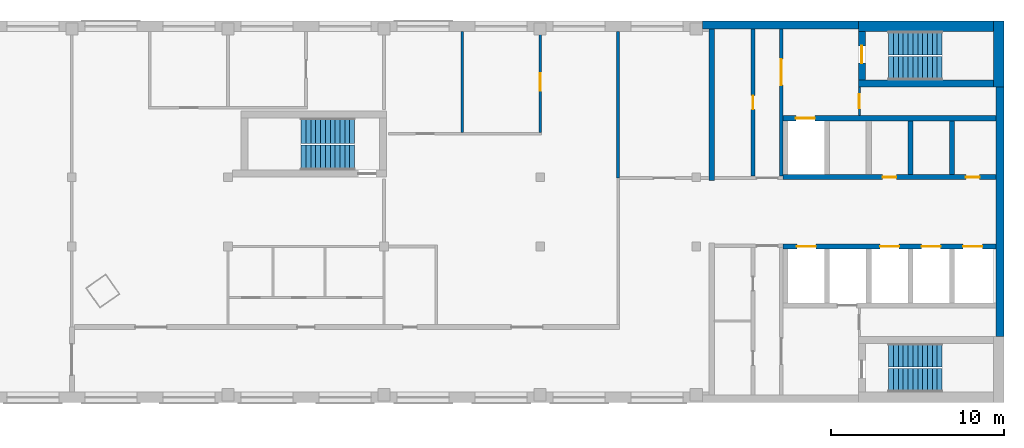
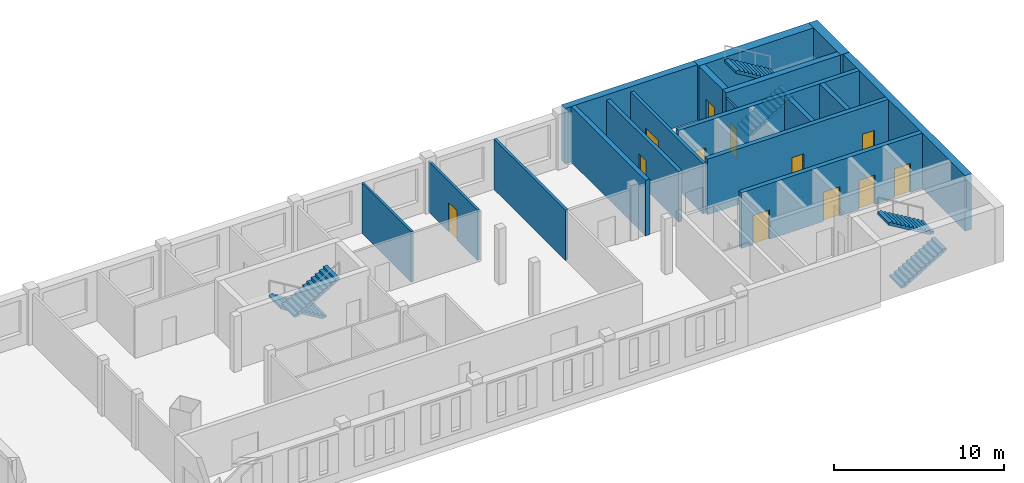
# One storey, part 4 of 5: 18 walls, 12 doors, 6 stair flights, 12 openings, 3 elements without a shape of their own.
"""IFC4 building model written with IfcOpenShell, lengths in metres."""

from ifc_helpers import new_model, si_unit, direction, frame, frame_2d, origin, place, context, subcontext, project, spatial, polyline, rectangle, outline, extrude, material, layer, layer_set, type_object, element, fill, aggregate, save


model = new_model("IFC4")

# Units and contexts
model_context = context("Model", 3, precision=1e-05, world=origin(), true_north=direction((0.0, 1.0)))
body_context = subcontext(model_context, "Body", "Model", "MODEL_VIEW")
ifc_project = project(units=[si_unit("LENGTHUNIT", "METRE"), si_unit("AREAUNIT", "SQUARE_METRE"), si_unit("VOLUMEUNIT", "CUBIC_METRE"), si_unit("PLANEANGLEUNIT", "RADIAN"), si_unit("MASSUNIT", "GRAM", prefix="KILO")], contexts=[model_context])

# Site, building, storey
site_placement = place(None, origin())
site = spatial("IfcSite", under=ifc_project, at=site_placement, CompositionType="ELEMENT")
building_placement = place(site_placement, origin())
building = spatial("IfcBuilding", under=site, at=building_placement, Name="Skarvind Civic Tower", CompositionType="ELEMENT")
storey_placement = place(building_placement, frame((0.0, 0.0, 257.5)))
storey = spatial("IfcBuildingStorey", under=building, at=storey_placement, Name="L61", CompositionType="ELEMENT", Elevation=257.5)

# Wall
ifc_material_1 = material(Name="Acoustic gypsum board on steel studs", Category="steel")
ifc_layer_1 = layer(ifc_material_1, 0.175048828125)
ifc_layer_set_1 = layer_set([ifc_layer_1], Name="ACOUSTIC MEETING-ROOM PARTITION 175")
wall_type_1 = type_object("IfcWallType", Name="ACOUSTIC MEETING-ROOM PARTITION 175", PredefinedType="PARTITIONING", material=ifc_layer_set_1)
wall_1_placement = place(storey_placement, frame((85.75, 129.949951171875, 0.0), z_axis=(0.0, 0.0, 1.0), x_axis=(0.0, 1.0, 0.0)))
element("IfcWall", 1, at=wall_1_placement, inside=storey, type_object=wall_type_1, Name="Partition 61.022", PredefinedType="PARTITIONING", context=body_context, shape_type="SweptSolid", body=[
    extrude(rectangle(XDim=8.449951171875, YDim=0.175048828125, at=frame_2d((4.22509765625, 0.0))), origin(), (0.0, 0.0, 1.0), 3.625),
])

# Wall, opening, door
ifc_material_2 = material(Name="Fire-rated masonry partition", Category="masonry")
ifc_layer_2 = layer(ifc_material_2, 0.199951171875)
ifc_layer_set_2 = layer_set([ifc_layer_2], Name="Core enclosure wall 200")
wall_type_2 = type_object("IfcWallType", Name="Core enclosure wall 200", PredefinedType="PARTITIONING", material=ifc_layer_set_2)
wall_2_placement = place(storey_placement, frame((95.14990234375, 130.050048828125, 0.0), z_axis=(0.0, 0.0, 1.0), x_axis=(0.0, 1.0, 0.0)))
wall_2 = element("IfcWall", 2, at=wall_2_placement, inside=storey, type_object=wall_type_2, Name="Core wall C1", PredefinedType="PARTITIONING", context=body_context, shape_type="SweptSolid", body=[
    extrude(rectangle(XDim=8.5, YDim=0.199951171875, at=frame_2d((4.25, 0.0))), origin(), (0.0, 0.0, 1.0), 3.625),
])
opening_1_placement = place(wall_2_placement, frame((5.25, 0.0, 0.0)))
opening_1 = element("IfcOpeningElement", 3, at=opening_1_placement, cuts=wall_2, Name="Opening D-L61-C1-14", PredefinedType="OPENING", context=body_context, shape_type="SweptSolid", body=[
    extrude(rectangle(XDim=1.5, YDim=2.10009765625, at=frame_2d((0.75, 1.050048828125))), frame((0.0, 0.10986328125, 0.0), z_axis=(0.0, -1.0, 0.0), x_axis=(1.0, 0.0, 0.0)), (0.0, 0.0, 1.0), 0.219970703125),
])
ifc_material_3 = material(Name="Fire-rated steel door", Category="steel")
door_type_1 = type_object("IfcDoorType", Name="Fire door 1500", OperationType="NOTDEFINED", PredefinedType="DOOR", material=ifc_material_3)
door_1_placement = place(opening_1_placement, origin())
door_1 = element("IfcDoor", 4, at=door_1_placement, inside=storey, type_object=door_type_1, Name="Fire door", OperationType="DOUBLE_DOOR_SINGLE_SWING", OverallHeight=2.10009765625, OverallWidth=1.5, PredefinedType="DOOR", context=body_context, shape_type="SweptSolid", body=[
    extrude(rectangle(XDim=1.5, YDim=2.10009765625, at=frame_2d((0.75, 1.050048828125))), frame((0.0, 0.02490234375, 0.0), z_axis=(0.0, -1.0, 0.0), x_axis=(1.0, 0.0, 0.0)), (0.0, 0.0, 1.0), 0.050048828125),
])
fill(opening_1, door_1)

# Wall, openings, doors
ifc_material_4 = material(Name="Concrete C60", Category="concrete")
ifc_layer_3 = layer(ifc_material_4, 0.300048828125)
ifc_layer_set_3 = layer_set([ifc_layer_3], Name="Core wall 300 C60")
wall_type_3 = type_object("IfcWallType", Name="Core wall 300 C60", PredefinedType="SHEAR", material=ifc_layer_set_3)
wall_3_placement = place(storey_placement, frame((107.550048828125, 130.0, 0.0), z_axis=(0.0, 0.0, 1.0), x_axis=(-1.0, 0.0, 0.0)))
wall_3 = element("IfcWall", 5, at=wall_3_placement, inside=storey, type_object=wall_type_3, Name="Core wall C1 south lift row front L61", PredefinedType="SHEAR", context=body_context, shape_type="SweptSolid", body=[
    extrude(rectangle(XDim=12.300048828125, YDim=0.300048828125, at=frame_2d((6.14990234375, 0.0))), origin(), (0.0, 0.0, 1.0), 4.0),
])
opening_2_placement = place(wall_3_placement, frame((0.949951171875, 0.0, 0.0)))
opening_2 = element("IfcOpeningElement", 6, at=opening_2_placement, cuts=wall_3, Name="Opening D-L61-C1-05", PredefinedType="OPENING", context=body_context, shape_type="SweptSolid", body=[
    extrude(rectangle(XDim=0.800048828125, YDim=2.10009765625, at=frame_2d((0.39990234375, 1.050048828125))), frame((0.0, 0.159912109375, 0.0), z_axis=(0.0, -1.0, 0.0), x_axis=(1.0, 0.0, 0.0)), (0.0, 0.0, 1.0), 0.320068359375),
])
opening_3_placement = place(wall_3_placement, frame((5.75, 0.0, 0.0)))
opening_3 = element("IfcOpeningElement", 7, at=opening_3_placement, cuts=wall_3, Name="Opening D-L61-C1-06", PredefinedType="OPENING", context=body_context, shape_type="SweptSolid", body=[
    extrude(rectangle(XDim=0.800048828125, YDim=2.10009765625, at=frame_2d((0.39990234375, 1.050048828125))), frame((0.0, 0.159912109375, 0.0), z_axis=(0.0, -1.0, 0.0), x_axis=(1.0, 0.0, 0.0)), (0.0, 0.0, 1.0), 0.320068359375),
])
door_type_2 = type_object("IfcDoorType", Name="Core riser door 800", OperationType="NOTDEFINED", PredefinedType="DOOR", material=ifc_material_3)
door_2_placement = place(opening_2_placement, origin())
door_2 = element("IfcDoor", 8, at=door_2_placement, inside=storey, type_object=door_type_2, Name="Riser door", OperationType="SINGLE_SWING_LEFT", OverallHeight=2.10009765625, OverallWidth=0.800048828125, PredefinedType="DOOR", context=body_context, shape_type="SweptSolid", body=[
    extrude(rectangle(XDim=0.800048828125, YDim=2.10009765625, at=frame_2d((0.39990234375, 1.050048828125))), frame((0.0, 0.02490234375, 0.0), z_axis=(0.0, -1.0, 0.0), x_axis=(1.0, 0.0, 0.0)), (0.0, 0.0, 1.0), 0.050048828125),
])
fill(opening_2, door_2)
door_3_placement = place(opening_3_placement, origin())
door_3 = element("IfcDoor", 9, at=door_3_placement, inside=storey, type_object=door_type_2, Name="Riser door", OperationType="SINGLE_SWING_RIGHT", OverallHeight=2.10009765625, OverallWidth=0.800048828125, PredefinedType="DOOR", context=body_context, shape_type="SweptSolid", body=[
    extrude(rectangle(XDim=0.800048828125, YDim=2.10009765625, at=frame_2d((0.39990234375, 1.050048828125))), frame((0.0, 0.02490234375, 0.0), z_axis=(0.0, -1.0, 0.0), x_axis=(1.0, 0.0, 0.0)), (0.0, 0.0, 1.0), 0.050048828125),
])
fill(opening_3, door_3)

# Wall, opening, door
wall_4_placement = place(storey_placement, frame((107.550048828125, 133.39990234375, 0.0), z_axis=(0.0, 0.0, 1.0), x_axis=(-1.0, 0.0, 0.0)))
wall_4 = element("IfcWall", 10, at=wall_4_placement, inside=storey, type_object=wall_type_3, Name="Core wall C1 south lift row back L61", PredefinedType="SHEAR", context=body_context, shape_type="SweptSolid", body=[
    extrude(rectangle(XDim=12.300048828125, YDim=0.300048828125, at=frame_2d((6.14990234375, 0.0))), origin(), (0.0, 0.0, 1.0), 4.0),
])
opening_4_placement = place(wall_4_placement, frame((10.449951171875, 0.0, 0.0)))
opening_4 = element("IfcOpeningElement", 11, at=opening_4_placement, cuts=wall_4, Name="Opening LD63110", PredefinedType="OPENING", context=body_context, shape_type="SweptSolid", body=[
    extrude(rectangle(XDim=1.10009765625, YDim=2.10009765625, at=frame_2d((0.550048828125, 1.050048828125))), frame((0.0, 0.159912109375, 0.0), z_axis=(0.0, -1.0, 0.0), x_axis=(1.0, 0.0, 0.0)), (0.0, 0.0, 1.0), 0.320068359375),
])
ifc_material_5 = material(Name="Stainless steel landing door", Category="steel")
door_type_3 = type_object("IfcDoorType", Name="Lift landing door 1100", OperationType="DOUBLE_DOOR_SLIDING", PredefinedType="DOOR", material=ifc_material_5)
door_4_placement = place(opening_4_placement, origin())
door_4 = element("IfcDoor", 12, at=door_4_placement, inside=storey, type_object=door_type_3, Name="Lift landing door", OperationType="DOUBLE_DOOR_SLIDING", OverallHeight=2.10009765625, OverallWidth=1.10009765625, PredefinedType="DOOR", context=body_context, shape_type="SweptSolid", body=[
    extrude(rectangle(XDim=1.10009765625, YDim=2.10009765625, at=frame_2d((0.550048828125, 1.050048828125))), frame((0.0, 0.02490234375, 0.0), z_axis=(0.0, -1.0, 0.0), x_axis=(1.0, 0.0, 0.0)), (0.0, 0.0, 1.0), 0.050048828125),
])
fill(opening_4, door_4)

# Walls
for number, where, z_axis, x_axis, name in (
    (13, (105.0, 133.25, 0.0), (0.0, 0.0, 1.0), (0.0, -1.0, 0.0), "Core wall C1 south lift row division 1 L61"),
    (14, (102.60009765625, 133.25, 0.0), (0.0, 0.0, 1.0), (0.0, -1.0, 0.0), "Core wall C1 south lift row division 2 L61"),
):
    element("IfcWall", number, at=place(storey_placement, frame(where, z_axis=z_axis, x_axis=x_axis)), inside=storey, type_object=wall_type_3, Name=name, PredefinedType="SHEAR", context=body_context, shape_type="SweptSolid", body=[
        extrude(rectangle(XDim=3.10009765625, YDim=0.300048828125, at=frame_2d((1.550048828125, 0.0))), origin(), (0.0, 0.0, 1.0), 4.0),
    ])

# Wall, openings, doors
wall_5_placement = place(storey_placement, frame((107.550048828125, 126.0, 0.0), z_axis=(0.0, 0.0, 1.0), x_axis=(-1.0, 0.0, 0.0)))
wall_5 = element("IfcWall", 15, at=wall_5_placement, inside=storey, type_object=wall_type_3, Name="Core wall C1 north lift row front L61", PredefinedType="SHEAR", context=body_context, shape_type="SweptSolid", body=[
    extrude(rectangle(XDim=12.300048828125, YDim=0.300048828125, at=frame_2d((6.14990234375, 0.0))), origin(), (0.0, 0.0, 1.0), 4.0),
])
opening_5_placement = place(wall_5_placement, frame((0.800048828125, 0.0, 0.0)))
opening_5 = element("IfcOpeningElement", 16, at=opening_5_placement, cuts=wall_5, Name="Opening LD63101", PredefinedType="OPENING", context=body_context, shape_type="SweptSolid", body=[
    extrude(rectangle(XDim=1.10009765625, YDim=2.10009765625, at=frame_2d((0.550048828125, 1.050048828125))), frame((0.0, 0.159912109375, 0.0), z_axis=(0.0, -1.0, 0.0), x_axis=(1.0, 0.0, 0.0)), (0.0, 0.0, 1.0), 0.320068359375),
])
opening_6_placement = place(wall_5_placement, frame((3.199951171875, 0.0, 0.0)))
opening_6 = element("IfcOpeningElement", 17, at=opening_6_placement, cuts=wall_5, Name="Opening LD63102", PredefinedType="OPENING", context=body_context, shape_type="SweptSolid", body=[
    extrude(rectangle(XDim=1.10009765625, YDim=2.10009765625, at=frame_2d((0.550048828125, 1.050048828125))), frame((0.0, 0.159912109375, 0.0), z_axis=(0.0, -1.0, 0.0), x_axis=(1.0, 0.0, 0.0)), (0.0, 0.0, 1.0), 0.320068359375),
])
opening_7_placement = place(wall_5_placement, frame((5.60009765625, 0.0, 0.0)))
opening_7 = element("IfcOpeningElement", 18, at=opening_7_placement, cuts=wall_5, Name="Opening LD63103", PredefinedType="OPENING", context=body_context, shape_type="SweptSolid", body=[
    extrude(rectangle(XDim=1.10009765625, YDim=2.10009765625, at=frame_2d((0.550048828125, 1.050048828125))), frame((0.0, 0.159912109375, 0.0), z_axis=(0.0, -1.0, 0.0), x_axis=(1.0, 0.0, 0.0)), (0.0, 0.0, 1.0), 0.320068359375),
])
opening_8_placement = place(wall_5_placement, frame((10.39990234375, 0.0, 0.0)))
opening_8 = element("IfcOpeningElement", 19, at=opening_8_placement, cuts=wall_5, Name="Opening LD63105", PredefinedType="OPENING", context=body_context, shape_type="SweptSolid", body=[
    extrude(rectangle(XDim=1.10009765625, YDim=2.10009765625, at=frame_2d((0.550048828125, 1.050048828125))), frame((0.0, 0.159912109375, 0.0), z_axis=(0.0, -1.0, 0.0), x_axis=(1.0, 0.0, 0.0)), (0.0, 0.0, 1.0), 0.320068359375),
])
door_5_placement = place(opening_5_placement, origin())
door_5 = element("IfcDoor", 20, at=door_5_placement, inside=storey, type_object=door_type_3, Name="Lift landing door", OperationType="DOUBLE_DOOR_SLIDING", OverallHeight=2.10009765625, OverallWidth=1.10009765625, PredefinedType="DOOR", context=body_context, shape_type="SweptSolid", body=[
    extrude(rectangle(XDim=1.10009765625, YDim=2.10009765625, at=frame_2d((0.550048828125, 1.050048828125))), frame((0.0, 0.02490234375, 0.0), z_axis=(0.0, -1.0, 0.0), x_axis=(1.0, 0.0, 0.0)), (0.0, 0.0, 1.0), 0.050048828125),
])
fill(opening_5, door_5)
door_6_placement = place(opening_6_placement, origin())
door_6 = element("IfcDoor", 21, at=door_6_placement, inside=storey, type_object=door_type_3, Name="Lift landing door", OperationType="DOUBLE_DOOR_SLIDING", OverallHeight=2.10009765625, OverallWidth=1.10009765625, PredefinedType="DOOR", context=body_context, shape_type="SweptSolid", body=[
    extrude(rectangle(XDim=1.10009765625, YDim=2.10009765625, at=frame_2d((0.550048828125, 1.050048828125))), frame((0.0, 0.02490234375, 0.0), z_axis=(0.0, -1.0, 0.0), x_axis=(1.0, 0.0, 0.0)), (0.0, 0.0, 1.0), 0.050048828125),
])
fill(opening_6, door_6)
door_7_placement = place(opening_7_placement, origin())
door_7 = element("IfcDoor", 22, at=door_7_placement, inside=storey, type_object=door_type_3, Name="Lift landing door", OperationType="DOUBLE_DOOR_SLIDING", OverallHeight=2.10009765625, OverallWidth=1.10009765625, PredefinedType="DOOR", context=body_context, shape_type="SweptSolid", body=[
    extrude(rectangle(XDim=1.10009765625, YDim=2.10009765625, at=frame_2d((0.550048828125, 1.050048828125))), frame((0.0, 0.02490234375, 0.0), z_axis=(0.0, -1.0, 0.0), x_axis=(1.0, 0.0, 0.0)), (0.0, 0.0, 1.0), 0.050048828125),
])
fill(opening_7, door_7)
door_8_placement = place(opening_8_placement, origin())
door_8 = element("IfcDoor", 23, at=door_8_placement, inside=storey, type_object=door_type_3, Name="Lift landing door", OperationType="DOUBLE_DOOR_SLIDING", OverallHeight=2.10009765625, OverallWidth=1.10009765625, PredefinedType="DOOR", context=body_context, shape_type="SweptSolid", body=[
    extrude(rectangle(XDim=1.10009765625, YDim=2.10009765625, at=frame_2d((0.550048828125, 1.050048828125))), frame((0.0, 0.02490234375, 0.0), z_axis=(0.0, -1.0, 0.0), x_axis=(1.0, 0.0, 0.0)), (0.0, 0.0, 1.0), 0.050048828125),
])
fill(opening_8, door_8)

# Walls
wall_6_placement = place(storey_placement, frame((91.14990234375, 138.550048828125, 0.0), z_axis=(0.0, 0.0, 1.0), x_axis=(0.0, -1.0, 0.0)))
element("IfcWall", 24, at=wall_6_placement, inside=storey, type_object=wall_type_3, Name="Core wall C1 south inner face L61", PredefinedType="SHEAR", context=body_context, shape_type="SweptSolid", body=[
    extrude(rectangle(XDim=8.75, YDim=0.300048828125, at=frame_2d((4.375, 0.0))), origin(), (0.0, 0.0, 1.0), 4.0),
])
ifc_layer_4 = layer(ifc_material_4, 0.39990234375)
ifc_layer_set_4 = layer_set([ifc_layer_4], Name="Core wall 400 C60")
wall_type_4 = type_object("IfcWallType", Name="Core wall 400 C60", PredefinedType="SHEAR", material=ifc_layer_set_4)
wall_7_placement = place(storey_placement, frame((107.39990234375, 135.39990234375, 0.0), z_axis=(0.0, 0.0, 1.0), x_axis=(-1.0, 0.0, 0.0)))
element("IfcWall", 25, at=wall_7_placement, inside=storey, type_object=wall_type_4, Name="Core wall C1 south stair inner L61", PredefinedType="SHEAR", context=body_context, shape_type="SweptSolid", body=[
    extrude(rectangle(XDim=7.7998046875, YDim=0.39990234375, at=frame_2d((3.89990234375, 0.0))), origin(), (0.0, 0.0, 1.0), 4.0),
])

# Wall, opening, door
wall_8_placement = place(storey_placement, frame((99.800048828125, 138.39990234375, 0.0), z_axis=(0.0, 0.0, 1.0), x_axis=(0.0, -1.0, 0.0)))
wall_8 = element("IfcWall", 26, at=wall_8_placement, inside=storey, type_object=wall_type_4, Name="Core wall C1 south stair end L61", PredefinedType="SHEAR", context=body_context, shape_type="SweptSolid", body=[
    extrude(rectangle(XDim=2.7998046875, YDim=0.39990234375, at=frame_2d((1.39990234375, 0.0))), origin(), (0.0, 0.0, 1.0), 4.0),
])
opening_9_placement = place(wall_8_placement, frame((0.824951171875, 0.0, 0.0)))
opening_9 = element("IfcOpeningElement", 27, at=opening_9_placement, cuts=wall_8, Name="Opening D-L61-C1-15", PredefinedType="OPENING", context=body_context, shape_type="SweptSolid", body=[
    extrude(rectangle(XDim=1.0, YDim=2.10009765625, at=frame_2d((0.5, 1.050048828125))), frame((0.0, 0.2099609375, 0.0), z_axis=(0.0, -1.0, 0.0), x_axis=(1.0, 0.0, 0.0)), (0.0, 0.0, 1.0), 0.419921875),
])
door_type_4 = type_object("IfcDoorType", Name="Fire door 1000", OperationType="NOTDEFINED", PredefinedType="DOOR", material=ifc_material_3)
door_9_placement = place(opening_9_placement, origin())
door_9 = element("IfcDoor", 28, at=door_9_placement, inside=storey, type_object=door_type_4, Name="Fire door", OperationType="SINGLE_SWING_RIGHT", OverallHeight=2.10009765625, OverallWidth=1.0, PredefinedType="DOOR", context=body_context, shape_type="SweptSolid", body=[
    extrude(rectangle(XDim=1.0, YDim=2.10009765625, at=frame_2d((0.5, 1.050048828125))), frame((0.0, 0.02490234375, 0.0), z_axis=(0.0, -1.0, 0.0), x_axis=(1.0, 0.0, 0.0)), (0.0, 0.0, 1.0), 0.050048828125),
])
fill(opening_9, door_9)

# Walls
ifc_layer_5 = layer(ifc_material_4, 0.449951171875)
ifc_layer_set_5 = layer_set([ifc_layer_5], Name="Core wall 450 C60")
wall_type_5 = type_object("IfcWallType", Name="Core wall 450 C60", PredefinedType="SHEAR", material=ifc_layer_set_5)
wall_9_placement = place(storey_placement, frame((107.77490234375, 135.199951171875, 0.0), z_axis=(0.0, 0.0, 1.0), x_axis=(0.0, -1.0, 0.0)))
element("IfcWall", 29, at=wall_9_placement, inside=storey, type_object=wall_type_5, Name="Core wall C1 tip between the stairs L61", PredefinedType="SHEAR", context=body_context, shape_type="SweptSolid", body=[
    extrude(rectangle(XDim=14.39990234375, YDim=0.449951171875, at=frame_2d((7.199951171875, 0.0))), origin(), (0.0, 0.0, 1.0), 4.0),
])
wall_10_placement = place(storey_placement, frame((99.60009765625, 138.77490234375, 0.0), z_axis=(0.0, 0.0, 1.0), x_axis=(-1.0, 0.0, 0.0)))
element("IfcWall", 30, at=wall_10_placement, inside=storey, type_object=wall_type_5, Name="Core wall C1 south side L61", PredefinedType="SHEAR", context=body_context, shape_type="SweptSolid", body=[
    extrude(rectangle(XDim=9.0, YDim=0.449951171875, at=frame_2d((4.5, 0.0))), origin(), (0.0, 0.0, 1.0), 4.0),
])
ifc_layer_6 = layer(ifc_material_4, 0.60009765625)
ifc_layer_set_6 = layer_set([ifc_layer_6], Name="Core wall 600 C60")
wall_type_6 = type_object("IfcWallType", Name="Core wall 600 C60", PredefinedType="SHEAR", material=ifc_layer_set_6)
wall_11_placement = place(storey_placement, frame((107.699951171875, 139.0, 0.0), z_axis=(0.0, 0.0, 1.0), x_axis=(0.0, -1.0, 0.0)))
element("IfcWall", 31, at=wall_11_placement, inside=storey, type_object=wall_type_6, Name="Core wall C1 tip at the south stair L61", PredefinedType="SHEAR", context=body_context, shape_type="SweptSolid", body=[
    extrude(rectangle(XDim=3.800048828125, YDim=0.60009765625, at=frame_2d((1.89990234375, 0.0))), origin(), (0.0, 0.0, 1.0), 4.0),
])
wall_12_placement = place(storey_placement, frame((107.39990234375, 138.699951171875, 0.0), z_axis=(0.0, 0.0, 1.0), x_axis=(-1.0, 0.0, 0.0)))
element("IfcWall", 32, at=wall_12_placement, inside=storey, type_object=wall_type_6, Name="Core wall C1 south side at the stair L61", PredefinedType="SHEAR", context=body_context, shape_type="SweptSolid", body=[
    extrude(rectangle(XDim=7.7998046875, YDim=0.60009765625, at=frame_2d((3.89990234375, 0.0))), origin(), (0.0, 0.0, 1.0), 4.0),
])
ifc_material_6 = material(Name="Plasterboard partition on steel studs", Category="steel")
ifc_layer_7 = layer(ifc_material_6, 0.14990234375)
ifc_layer_set_7 = layer_set([ifc_layer_7], Name="PARTITION 150")
wall_type_7 = type_object("IfcWallType", Name="PARTITION 150", PredefinedType="PARTITIONING", material=ifc_layer_set_7)
wall_13_placement = place(storey_placement, frame((76.75, 132.574951171875, 0.0), z_axis=(0.0, 0.0, 1.0), x_axis=(0.0, 1.0, 0.0)))
element("IfcWall", 33, at=wall_13_placement, inside=storey, type_object=wall_type_7, Name="Partition 61.019", PredefinedType="PARTITIONING", context=body_context, shape_type="SweptSolid", body=[
    extrude(rectangle(XDim=5.824951171875, YDim=0.14990234375, at=frame_2d((2.91259765625, 0.0))), origin(), (0.0, 0.0, 1.0), 3.625),
])

# Wall, opening, door
wall_14_placement = place(storey_placement, frame((81.25, 138.39990234375, 0.0), z_axis=(0.0, 0.0, 1.0), x_axis=(0.0, -1.0, 0.0)))
wall_14 = element("IfcWall", 34, at=wall_14_placement, inside=storey, type_object=wall_type_7, Name="Partition 61.020", PredefinedType="PARTITIONING", context=body_context, shape_type="SweptSolid", body=[
    extrude(rectangle(XDim=5.824951171875, YDim=0.14990234375, at=frame_2d((2.91259765625, 0.0))), origin(), (0.0, 0.0, 1.0), 3.625),
])
opening_10_placement = place(wall_14_placement, frame((2.422607421875, 0.0, 0.0)))
opening_10 = element("IfcOpeningElement", 35, at=opening_10_placement, cuts=wall_14, Name="Opening L61-D003", PredefinedType="OPENING", context=body_context, shape_type="SweptSolid", body=[
    extrude(rectangle(XDim=1.0, YDim=2.10009765625, at=frame_2d((0.5, 1.050048828125))), frame((0.0, 0.0849609375, 0.0), z_axis=(0.0, -1.0, 0.0), x_axis=(1.0, 0.0, 0.0)), (0.0, 0.0, 1.0), 0.169921875),
])
ifc_material_7 = material(Name="Timber door leaf", Category="wood")
door_type_5 = type_object("IfcDoorType", Name="D1 1000x2100", OperationType="NOTDEFINED", PredefinedType="DOOR", material=ifc_material_7)
door_10_placement = place(opening_10_placement, origin())
door_10 = element("IfcDoor", 36, at=door_10_placement, inside=storey, type_object=door_type_5, Name="Door L61-D003", OperationType="SINGLE_SWING_LEFT", OverallHeight=2.10009765625, OverallWidth=1.0, PredefinedType="DOOR", context=body_context, shape_type="SweptSolid", body=[
    extrude(rectangle(XDim=1.0, YDim=2.10009765625, at=frame_2d((0.5, 1.050048828125))), frame((0.0, 0.02490234375, 0.0), z_axis=(0.0, -1.0, 0.0), x_axis=(1.0, 0.0, 0.0)), (0.0, 0.0, 1.0), 0.050048828125),
])
fill(opening_10, door_10)

ifc_layer_8 = layer(ifc_material_2, 0.125)
ifc_layer_set_8 = layer_set([ifc_layer_8], Name="Riser wall 125")
wall_type_8 = type_object("IfcWallType", Name="Riser wall 125", PredefinedType="PARTITIONING", material=ifc_layer_set_8)
wall_15_placement = place(storey_placement, frame((99.66259765625, 133.550048828125, 0.0), z_axis=(0.0, 0.0, 1.0), x_axis=(0.0, 1.0, 0.0)))
wall_15 = element("IfcWall", 37, at=wall_15_placement, inside=storey, type_object=wall_type_8, Name="Core wall C1", PredefinedType="PARTITIONING", context=body_context, shape_type="SweptSolid", body=[
    extrude(rectangle(XDim=1.64990234375, YDim=0.125, at=frame_2d((0.824951171875, 0.0))), origin(), (0.0, 0.0, 1.0), 3.625),
])
opening_11_placement = place(wall_15_placement, frame((0.425048828125, 0.0, 0.0)))
opening_11 = element("IfcOpeningElement", 38, at=opening_11_placement, cuts=wall_15, Name="Opening D-L61-C1-16", PredefinedType="OPENING", context=body_context, shape_type="SweptSolid", body=[
    extrude(rectangle(XDim=0.800048828125, YDim=2.10009765625, at=frame_2d((0.39990234375, 1.050048828125))), frame((0.0, 0.072509765625, 0.0), z_axis=(0.0, -1.0, 0.0), x_axis=(1.0, 0.0, 0.0)), (0.0, 0.0, 1.0), 0.14501953125),
])
door_11_placement = place(opening_11_placement, origin())
door_11 = element("IfcDoor", 39, at=door_11_placement, inside=storey, type_object=door_type_2, Name="Riser door", OperationType="SINGLE_SWING_LEFT", OverallHeight=2.10009765625, OverallWidth=0.800048828125, PredefinedType="DOOR", context=body_context, shape_type="SweptSolid", body=[
    extrude(rectangle(XDim=0.800048828125, YDim=2.10009765625, at=frame_2d((0.39990234375, 1.050048828125))), frame((0.0, 0.02490234375, 0.0), z_axis=(0.0, -1.0, 0.0), x_axis=(1.0, 0.0, 0.0)), (0.0, 0.0, 1.0), 0.050048828125),
])
fill(opening_11, door_11)

ifc_layer_9 = layer(ifc_material_2, 0.25)
ifc_layer_set_9 = layer_set([ifc_layer_9], Name="Service block wall 250")
wall_type_9 = type_object("IfcWallType", Name="Service block wall 250", PredefinedType="PARTITIONING", material=ifc_layer_set_9)
wall_16_placement = place(storey_placement, frame((93.52490234375, 130.050048828125, 0.0), z_axis=(0.0, 0.0, 1.0), x_axis=(0.0, 1.0, 0.0)))
wall_16 = element("IfcWall", 40, at=wall_16_placement, inside=storey, type_object=wall_type_9, Name="Core wall C1", PredefinedType="PARTITIONING", context=body_context, shape_type="SweptSolid", body=[
    extrude(rectangle(XDim=8.5, YDim=0.25, at=frame_2d((4.25, 0.0))), origin(), (0.0, 0.0, 1.0), 3.625),
])
opening_12_placement = place(wall_16_placement, frame((3.85009765625, 0.0, 0.0)))
opening_12 = element("IfcOpeningElement", 41, at=opening_12_placement, cuts=wall_16, Name="Opening D-L61-C1-17", PredefinedType="OPENING", context=body_context, shape_type="SweptSolid", body=[
    extrude(rectangle(XDim=0.800048828125, YDim=2.10009765625, at=frame_2d((0.39990234375, 1.050048828125))), frame((0.0, 0.135009765625, 0.0), z_axis=(0.0, -1.0, 0.0), x_axis=(1.0, 0.0, 0.0)), (0.0, 0.0, 1.0), 0.27001953125),
])
door_12_placement = place(opening_12_placement, origin())
door_12 = element("IfcDoor", 42, at=door_12_placement, inside=storey, type_object=door_type_2, Name="Riser door", OperationType="SINGLE_SWING_RIGHT", OverallHeight=2.10009765625, OverallWidth=0.800048828125, PredefinedType="DOOR", context=body_context, shape_type="SweptSolid", body=[
    extrude(rectangle(XDim=0.800048828125, YDim=2.10009765625, at=frame_2d((0.39990234375, 1.050048828125))), frame((0.0, 0.02490234375, 0.0), z_axis=(0.0, -1.0, 0.0), x_axis=(1.0, 0.0, 0.0)), (0.0, 0.0, 1.0), 0.050048828125),
])
fill(opening_12, door_12)

# Stair, stair flights
ifc_material_8 = material(Name="Concrete C40/50", Category="concrete")
stair_type_1 = type_object("IfcStairType", Name="Exit stair 1450, half-turn, concrete", PredefinedType="HALF_TURN_STAIR", material=ifc_material_8)
stair_1_placement = place(storey_placement, origin())
stair_1 = element("IfcStair", 43, at=stair_1_placement, inside=storey, type_object=stair_type_1, Name="Exit stair CM", PredefinedType="HALF_TURN_STAIR")
stair_flight_type_1 = type_object("IfcStairFlightType", Name="Stair flight 1450, concrete", PredefinedType="STRAIGHT", material=ifc_material_8)
stair_flight_1_placement = place(storey_placement, frame((70.550048828125, 132.675048828125, 0.0), z_axis=(0.0, 0.0, 1.0), x_axis=(-1.0, 0.0, 0.0)))
stair_flight_1 = element("IfcStairFlight", 44, at=stair_flight_1_placement, type_object=stair_flight_type_1, Name="ST-CM flight 1", NumberOfRisers=12, NumberOfTreads=11, PredefinedType="STRAIGHT", RiserHeight=0.166666667, TreadLength=0.28, context=body_context, shape_type="SweptSolid", body=[
    extrude(outline(polyline([(0.0, 0.0), (0.0, 0.166748046875), (0.280029296875, 0.166748046875), (0.280029296875, 0.333251953125), (0.56005859375, 0.333251953125), (0.56005859375, 0.5), (0.840087890625, 0.5), (0.840087890625, 0.666748046875), (1.1201171875, 0.666748046875), (1.1201171875, 0.833251953125), (1.39990234375, 0.833251953125), (1.39990234375, 1.0), (1.679931640625, 1.0), (1.679931640625, 1.166748046875), (1.9599609375, 1.166748046875), (1.9599609375, 1.333251953125), (2.239990234375, 1.333251953125), (2.239990234375, 1.5), (2.52001953125, 1.5), (2.52001953125, 1.666748046875), (2.800048828125, 1.666748046875), (2.800048828125, 1.833251953125), (3.080078125, 1.833251953125), (3.080078125, 2.0), (3.080078125, 1.658935546875), (0.29296875, 0.0), (0.0, 0.0)])), frame((0.0, 0.72509765625, 0.0), z_axis=(0.0, -1.0, 0.0), x_axis=(1.0, 0.0, 0.0)), (0.0, 0.0, 1.0), 1.449951171875),
])
stair_flight_2_placement = place(storey_placement, frame((67.469970703125, 131.125, 2.0), z_axis=(0.0, 0.0, 1.0), x_axis=(1.0, 0.0, 0.0)))
stair_flight_2 = element("IfcStairFlight", 45, at=stair_flight_2_placement, type_object=stair_flight_type_1, Name="ST-CM flight 2", NumberOfRisers=12, NumberOfTreads=11, PredefinedType="STRAIGHT", RiserHeight=0.166666667, TreadLength=0.28, context=body_context, shape_type="SweptSolid", body=[
    extrude(outline(polyline([(0.0, 0.0), (0.0, 0.166748046875), (0.280029296875, 0.166748046875), (0.280029296875, 0.333251953125), (0.56005859375, 0.333251953125), (0.56005859375, 0.5), (0.840087890625, 0.5), (0.840087890625, 0.666748046875), (1.1201171875, 0.666748046875), (1.1201171875, 0.833251953125), (1.39990234375, 0.833251953125), (1.39990234375, 1.0), (1.679931640625, 1.0), (1.679931640625, 1.166748046875), (1.9599609375, 1.166748046875), (1.9599609375, 1.333251953125), (2.239990234375, 1.333251953125), (2.239990234375, 1.5), (2.52001953125, 1.5), (2.52001953125, 1.666748046875), (2.800048828125, 1.666748046875), (2.800048828125, 1.833251953125), (3.080078125, 1.833251953125), (3.080078125, 2.0), (3.080078125, 1.658935546875), (0.29296875, 0.0), (0.0, 0.0)])), frame((0.0, 0.72509765625, 0.0), z_axis=(0.0, -1.0, 0.0), x_axis=(1.0, 0.0, 0.0)), (0.0, 0.0, 1.0), 1.449951171875),
])
aggregate(stair_1, [stair_flight_1, stair_flight_2])

stair_type_2 = type_object("IfcStairType", Name="Exit stair, half-turn, concrete", PredefinedType="HALF_TURN_STAIR", material=ifc_material_8)
stair_2_placement = place(storey_placement, origin())
stair_2 = element("IfcStair", 46, at=stair_2_placement, inside=storey, type_object=stair_type_2, Name="Exit stair C1S", PredefinedType="HALF_TURN_STAIR")
stair_flight_type_2 = type_object("IfcStairFlightType", Name="Stair flight, concrete", PredefinedType="STRAIGHT", material=ifc_material_8)
stair_flight_3_placement = place(storey_placement, frame((101.35009765625, 136.27490234375, 0.0), z_axis=(0.0, 0.0, 1.0), x_axis=(1.0, 0.0, 0.0)))
stair_flight_3 = element("IfcStairFlight", 47, at=stair_flight_3_placement, type_object=stair_flight_type_2, Name="ST-C1S flight 1", NumberOfRisers=12, NumberOfTreads=11, PredefinedType="STRAIGHT", RiserHeight=0.166666667, TreadLength=0.28, context=body_context, shape_type="SweptSolid", body=[
    extrude(outline(polyline([(0.0, 0.0), (0.0, 0.166748046875), (0.280029296875, 0.166748046875), (0.280029296875, 0.333251953125), (0.56005859375, 0.333251953125), (0.56005859375, 0.5), (0.840087890625, 0.5), (0.840087890625, 0.666748046875), (1.1201171875, 0.666748046875), (1.1201171875, 0.833251953125), (1.39990234375, 0.833251953125), (1.39990234375, 1.0), (1.679931640625, 1.0), (1.679931640625, 1.166748046875), (1.9599609375, 1.166748046875), (1.9599609375, 1.333251953125), (2.239990234375, 1.333251953125), (2.239990234375, 1.5), (2.52001953125, 1.5), (2.52001953125, 1.666748046875), (2.800048828125, 1.666748046875), (2.800048828125, 1.833251953125), (3.080078125, 1.833251953125), (3.080078125, 2.0), (3.080078125, 1.658935546875), (0.29296875, 0.0), (0.0, 0.0)])), frame((0.0, 0.675048828125, 0.0), z_axis=(0.0, -1.0, 0.0), x_axis=(1.0, 0.0, 0.0)), (0.0, 0.0, 1.0), 1.35009765625),
])
stair_flight_4_placement = place(storey_placement, frame((104.429931640625, 137.72509765625, 2.0), z_axis=(0.0, 0.0, 1.0), x_axis=(-1.0, 0.0, 0.0)))
stair_flight_4 = element("IfcStairFlight", 48, at=stair_flight_4_placement, type_object=stair_flight_type_2, Name="ST-C1S flight 2", NumberOfRisers=12, NumberOfTreads=11, PredefinedType="STRAIGHT", RiserHeight=0.166666667, TreadLength=0.28, context=body_context, shape_type="SweptSolid", body=[
    extrude(outline(polyline([(0.0, 0.0), (0.0, 0.166748046875), (0.280029296875, 0.166748046875), (0.280029296875, 0.333251953125), (0.56005859375, 0.333251953125), (0.56005859375, 0.5), (0.840087890625, 0.5), (0.840087890625, 0.666748046875), (1.1201171875, 0.666748046875), (1.1201171875, 0.833251953125), (1.39990234375, 0.833251953125), (1.39990234375, 1.0), (1.679931640625, 1.0), (1.679931640625, 1.166748046875), (1.9599609375, 1.166748046875), (1.9599609375, 1.333251953125), (2.239990234375, 1.333251953125), (2.239990234375, 1.5), (2.52001953125, 1.5), (2.52001953125, 1.666748046875), (2.800048828125, 1.666748046875), (2.800048828125, 1.833251953125), (3.080078125, 1.833251953125), (3.080078125, 2.0), (3.080078125, 1.658935546875), (0.29296875, 0.0), (0.0, 0.0)])), frame((0.0, 0.675048828125, 0.0), z_axis=(0.0, -1.0, 0.0), x_axis=(1.0, 0.0, 0.0)), (0.0, 0.0, 1.0), 1.35009765625),
])
aggregate(stair_2, [stair_flight_3, stair_flight_4])

stair_3_placement = place(storey_placement, origin())
stair_3 = element("IfcStair", 49, at=stair_3_placement, inside=storey, type_object=stair_type_2, Name="Exit stair C1N", PredefinedType="HALF_TURN_STAIR")
stair_flight_5_placement = place(storey_placement, frame((101.35009765625, 118.27490234375, 0.0), z_axis=(0.0, 0.0, 1.0), x_axis=(1.0, 0.0, 0.0)))
stair_flight_5 = element("IfcStairFlight", 50, at=stair_flight_5_placement, type_object=stair_flight_type_2, Name="ST-C1N flight 1", NumberOfRisers=12, NumberOfTreads=11, PredefinedType="STRAIGHT", RiserHeight=0.166666667, TreadLength=0.28, context=body_context, shape_type="SweptSolid", body=[
    extrude(outline(polyline([(0.0, 0.0), (0.0, 0.166748046875), (0.280029296875, 0.166748046875), (0.280029296875, 0.333251953125), (0.56005859375, 0.333251953125), (0.56005859375, 0.5), (0.840087890625, 0.5), (0.840087890625, 0.666748046875), (1.1201171875, 0.666748046875), (1.1201171875, 0.833251953125), (1.39990234375, 0.833251953125), (1.39990234375, 1.0), (1.679931640625, 1.0), (1.679931640625, 1.166748046875), (1.9599609375, 1.166748046875), (1.9599609375, 1.333251953125), (2.239990234375, 1.333251953125), (2.239990234375, 1.5), (2.52001953125, 1.5), (2.52001953125, 1.666748046875), (2.800048828125, 1.666748046875), (2.800048828125, 1.833251953125), (3.080078125, 1.833251953125), (3.080078125, 2.0), (3.080078125, 1.658935546875), (0.29296875, 0.0), (0.0, 0.0)])), frame((0.0, 0.675048828125, 0.0), z_axis=(0.0, -1.0, 0.0), x_axis=(1.0, 0.0, 0.0)), (0.0, 0.0, 1.0), 1.35009765625),
])
stair_flight_6_placement = place(storey_placement, frame((104.429931640625, 119.72509765625, 2.0), z_axis=(0.0, 0.0, 1.0), x_axis=(-1.0, 0.0, 0.0)))
stair_flight_6 = element("IfcStairFlight", 51, at=stair_flight_6_placement, type_object=stair_flight_type_2, Name="ST-C1N flight 2", NumberOfRisers=12, NumberOfTreads=11, PredefinedType="STRAIGHT", RiserHeight=0.166666667, TreadLength=0.28, context=body_context, shape_type="SweptSolid", body=[
    extrude(outline(polyline([(0.0, 0.0), (0.0, 0.166748046875), (0.280029296875, 0.166748046875), (0.280029296875, 0.333251953125), (0.56005859375, 0.333251953125), (0.56005859375, 0.5), (0.840087890625, 0.5), (0.840087890625, 0.666748046875), (1.1201171875, 0.666748046875), (1.1201171875, 0.833251953125), (1.39990234375, 0.833251953125), (1.39990234375, 1.0), (1.679931640625, 1.0), (1.679931640625, 1.166748046875), (1.9599609375, 1.166748046875), (1.9599609375, 1.333251953125), (2.239990234375, 1.333251953125), (2.239990234375, 1.5), (2.52001953125, 1.5), (2.52001953125, 1.666748046875), (2.800048828125, 1.666748046875), (2.800048828125, 1.833251953125), (3.080078125, 1.833251953125), (3.080078125, 2.0), (3.080078125, 1.658935546875), (0.29296875, 0.0), (0.0, 0.0)])), frame((0.0, 0.675048828125, 0.0), z_axis=(0.0, -1.0, 0.0), x_axis=(1.0, 0.0, 0.0)), (0.0, 0.0, 1.0), 1.35009765625),
])
aggregate(stair_3, [stair_flight_5, stair_flight_6])

save(model, "model.ifc")
